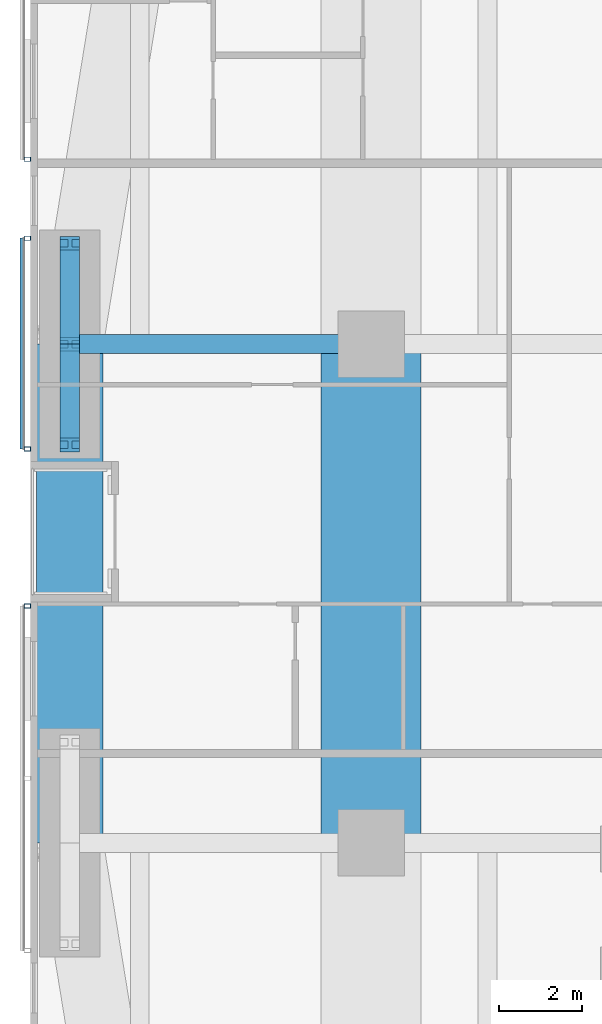
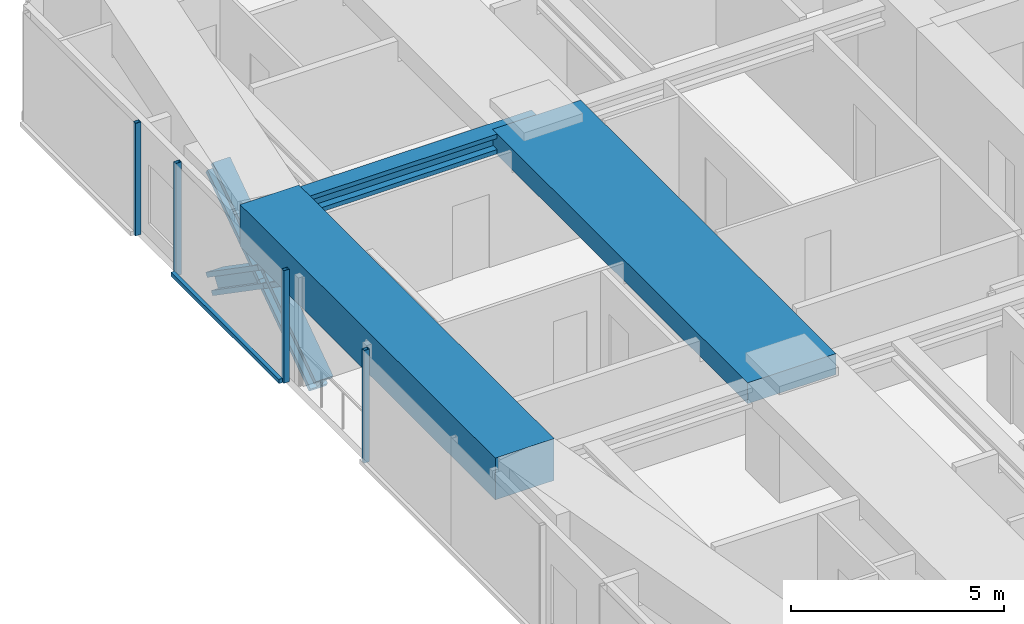
# One storey, part 7 of 24: 9 members, 3 beams, 3 elements without a shape of their own.
"""IFC4 building model written with IfcOpenShell, lengths in metres."""

from ifc_helpers import new_model, si_unit, direction, frame, origin, origin_2d, place, context, subcontext, project, spatial, rectangle, hollow_rectangle, i_section, extrude, material, material_profile, profile_set, type_object, element, aggregate, save


model = new_model("IFC4")

# Units and contexts
model_context = context("Model", 3, precision=1e-05, world=origin(), true_north=direction((0.0, 1.0)))
body_context = subcontext(model_context, "Body", "Model", "MODEL_VIEW")
ifc_project = project(units=[si_unit("LENGTHUNIT", "METRE"), si_unit("AREAUNIT", "SQUARE_METRE"), si_unit("VOLUMEUNIT", "CUBIC_METRE"), si_unit("PLANEANGLEUNIT", "RADIAN"), si_unit("MASSUNIT", "GRAM", prefix="KILO")], contexts=[model_context])

# Site, building, storey
site_placement = place(None, origin())
site = spatial("IfcSite", under=ifc_project, at=site_placement, CompositionType="ELEMENT")
building_placement = place(site_placement, origin())
building = spatial("IfcBuilding", under=site, at=building_placement, Name="Jalousie Tower", CompositionType="ELEMENT")
storey_placement = place(building_placement, frame((0.0, 0.0, 47.800048828125)))
storey = spatial("IfcBuildingStorey", under=building, at=storey_placement, Name="L12", CompositionType="ELEMENT", Elevation=47.800048828125)

# Beam
ifc_material_1 = material(Name="Steel ASTM A992 Grade 50", Category="steel")
ifc_material_profile_1 = material_profile(ifc_material_1, i_section(OverallWidth=0.45458984375, OverallDepth=0.569091796875, WebThickness=0.077880859375, FlangeThickness=0.124755859375, at=origin_2d()), Name="W14X730")
ifc_profile_set_1 = profile_set([ifc_material_profile_1], Name="Steel ASTM A992 Grade 50")
beam_type_1 = type_object("IfcBeamType", Name="LEAN COLLECTOR W14X730", PredefinedType="BEAM", material=ifc_profile_set_1)
beam_1_placement = place(storey_placement, frame((2.949951171875, 25.0, 2.825439453125), z_axis=(1.0, 0.0, 0.0), x_axis=(0.0, 1.0, 0.0)))
element("IfcBeam", 1, at=beam_1_placement, inside=storey, type_object=beam_type_1, Name="Lean collector under L13", PredefinedType="BEAM", context=body_context, shape_type="SweptSolid", body=[
    extrude(i_section(OverallWidth=0.45458984375, OverallDepth=0.569091796875, WebThickness=0.077880859375, FlangeThickness=0.124755859375, at=origin_2d()), origin(), (0.0, 0.0, 1.0), 7.25),
])

# Members
ifc_material_2 = material(Name="Steel ASTM A992 Grade 50", Category="steel")
ifc_material_profile_2 = material_profile(ifc_material_2, i_section(OverallWidth=0.472412109375, OverallDepth=0.5791015625, WebThickness=0.094970703125, FlangeThickness=0.1298828125, at=origin_2d()), Name="W14X808")
ifc_profile_set_2 = profile_set([ifc_material_profile_2], Name="Steel ASTM A992 Grade 50")
member_type_1 = type_object("IfcMemberType", Name="PERIMETER BRACE W14X808", PredefinedType="BRACE", material=ifc_profile_set_2)
for number, where, z_axis, x_axis, name in (
    (2, (2.949951171875, 22.574951171875, -0.60009765625), (0.0, 0.822800062329, 0.568330940062), (-1.0, 0.0, 0.0), "Perimeter brace 13 L12 part 1"),
    (3, (2.949951171875, 25.0, 1.074951171875), (0.0, 0.822800062329, 0.568330940062), (-1.0, 0.0, 0.0), "Perimeter brace 13 L12 part 2"),
    (4, (2.949951171875, 27.425048828125, -0.60009765625), (0.0, -0.822800062329, 0.568330940062), (1.0, 0.0, 0.0), "Perimeter brace 13 L12 part 3"),
    (5, (2.949951171875, 25.0, 1.074951171875), (0.0, -0.822800062329, 0.568330940062), (1.0, 0.0, 0.0), "Perimeter brace 13 L12 part 4"),
):
    element("IfcMember", number, at=place(storey_placement, frame(where, z_axis=z_axis, x_axis=x_axis)), inside=storey, type_object=member_type_1, Name=name, PredefinedType="BRACE", context=body_context, shape_type="SweptSolid", body=[
        extrude(i_section(OverallWidth=0.472412109375, OverallDepth=0.5791015625, WebThickness=0.094970703125, FlangeThickness=0.1298828125, at=origin_2d()), origin(), (0.0, 0.0, 1.0), 2.947265625),
    ])

# Beams
ifc_material_3 = material(Name="Concrete f'c 40 MPa", Category="concrete")
ifc_material_profile_3 = material_profile(ifc_material_3, rectangle(XDim=1.60009765625, YDim=1.199951171875, at=origin_2d()), Name="RC 1600x1200")
ifc_profile_set_3 = profile_set([ifc_material_profile_3], Name="Concrete f'c 40 MPa")
beam_type_2 = type_object("IfcBeamType", Name="RC BEAM 1600x1200", PredefinedType="BEAM", material=ifc_profile_set_3)
beam_2_placement = place(storey_placement, frame((2.949951171875, 25.0, 2.75), z_axis=(0.0, -1.0, 0.0), x_axis=(1.0, 0.0, 0.0)))
element("IfcBeam", 6, at=beam_2_placement, inside=storey, type_object=beam_type_2, Name="Edge band beam 13-14 under L13", PredefinedType="BEAM", context=body_context, shape_type="SweptSolid", body=[
    extrude(rectangle(XDim=1.60009765625, YDim=1.199951171875, at=origin_2d()), origin(), (0.0, 0.0, 1.0), 12.0),
])
ifc_material_4 = material(Name="Concrete f'c 40 MPa", Category="concrete")
ifc_material_profile_4 = material_profile(ifc_material_4, rectangle(XDim=2.39990234375, YDim=0.60009765625, at=origin_2d()), Name="RC 2400x600")
ifc_profile_set_4 = profile_set([ifc_material_profile_4], Name="Concrete f'c 40 MPa")
beam_type_3 = type_object("IfcBeamType", Name="RC BEAM 2400x600", PredefinedType="BEAM", material=ifc_profile_set_4)
beam_3_placement = place(storey_placement, frame((10.199951171875, 13.0, 2.81005859375), z_axis=(0.0, 1.0, 0.0), x_axis=(-1.0, 0.0, 0.0)))
element("IfcBeam", 7, at=beam_3_placement, inside=storey, type_object=beam_type_3, Name="Floor band beam under L13", PredefinedType="BEAM", context=body_context, shape_type="SweptSolid", body=[
    extrude(rectangle(XDim=2.39990234375, YDim=0.60009765625, at=origin_2d()), origin(), (0.0, 0.0, 1.0), 12.0),
])

# Curtain wall, member
ifc_material_5 = material(Name="Perforated aluminium sheet", Category="aluminium")
curtain_wall_type = type_object("IfcCurtainWallType", Name="SOLAR SCREEN SS-1", PredefinedType="USERDEFINED", material=ifc_material_5)
curtain_wall_1_placement = place(storey_placement, origin())
curtain_wall_1 = element("IfcCurtainWall", 8, at=curtain_wall_1_placement, inside=storey, type_object=curtain_wall_type, Name="Solar screen L12", ObjectType="SOLAR SCREEN SS-1", PredefinedType="USERDEFINED")
ifc_material_6 = material(Name="Steel ASTM A500 Grade C", Category="steel")
ifc_material_profile_5 = material_profile(ifc_material_6, hollow_rectangle(XDim=0.1015625, YDim=0.15234375, WallThickness=0.00634765625, at=origin_2d()), Name="HSS6X4X1/4")
ifc_profile_set_5 = profile_set([ifc_material_profile_5], Name="Steel ASTM A500 Grade C")
member_type_2 = type_object("IfcMemberType", Name="SOLAR SCREEN SS-1 MULLION", PredefinedType="MULLION", material=ifc_profile_set_5)
member_1_placement = place(storey_placement, frame((1.9287109375, 29.449951171875, -0.1201171875), z_axis=(0.0, 0.0, 1.0), x_axis=(0.0, -1.0, 0.0)))
member_1 = element("IfcMember", 9, at=member_1_placement, type_object=member_type_2, Name="SS1 post 2", PredefinedType="MULLION", context=body_context, shape_type="SweptSolid", body=[
    extrude(hollow_rectangle(XDim=0.1015625, YDim=0.15234375, WallThickness=0.00634765625, at=origin_2d()), origin(), (0.0, 0.0, 1.0), 3.22998046875),
])
aggregate(curtain_wall_1, [member_1])

# Curtain wall, members
curtain_wall_2_placement = place(storey_placement, origin())
curtain_wall_2 = element("IfcCurtainWall", 10, at=curtain_wall_2_placement, inside=storey, type_object=curtain_wall_type, Name="Solar screen L12", ObjectType="SOLAR SCREEN SS-1", PredefinedType="USERDEFINED")
member_2_placement = place(storey_placement, frame((1.9287109375, 27.550048828125, -0.1201171875), z_axis=(0.0, 0.0, 1.0), x_axis=(0.0, -1.0, 0.0)))
member_2 = element("IfcMember", 11, at=member_2_placement, type_object=member_type_2, Name="SS1 post 1", PredefinedType="MULLION", context=body_context, shape_type="SweptSolid", body=[
    extrude(hollow_rectangle(XDim=0.1015625, YDim=0.15234375, WallThickness=0.00634765625, at=origin_2d()), origin(), (0.0, 0.0, 1.0), 3.22998046875),
])
member_3_placement = place(storey_placement, frame((1.9287109375, 22.47509765625, -0.1201171875), z_axis=(0.0, 0.0, 1.0), x_axis=(0.0, -1.0, 0.0)))
member_3 = element("IfcMember", 12, at=member_3_placement, type_object=member_type_2, Name="SS1 post 2", PredefinedType="MULLION", context=body_context, shape_type="SweptSolid", body=[
    extrude(hollow_rectangle(XDim=0.1015625, YDim=0.15234375, WallThickness=0.00634765625, at=origin_2d()), origin(), (0.0, 0.0, 1.0), 3.22998046875),
])

# Curtain wall, member
curtain_wall_3_placement = place(storey_placement, origin())
curtain_wall_3 = element("IfcCurtainWall", 13, at=curtain_wall_3_placement, inside=storey, type_object=curtain_wall_type, Name="Solar screen L12", ObjectType="SOLAR SCREEN SS-1", PredefinedType="USERDEFINED")
member_4_placement = place(storey_placement, frame((1.9287109375, 18.699951171875, -0.1201171875), z_axis=(0.0, 0.0, 1.0), x_axis=(0.0, -1.0, 0.0)))
member_4 = element("IfcMember", 14, at=member_4_placement, type_object=member_type_2, Name="SS1 post 1", PredefinedType="MULLION", context=body_context, shape_type="SweptSolid", body=[
    extrude(hollow_rectangle(XDim=0.1015625, YDim=0.15234375, WallThickness=0.00634765625, at=origin_2d()), origin(), (0.0, 0.0, 1.0), 3.22998046875),
])
aggregate(curtain_wall_3, [member_4])

# Member
ifc_material_7 = material(Name="Extruded aluminium screen rail", Category="aluminium")
ifc_material_profile_6 = material_profile(ifc_material_7, rectangle(XDim=0.1015625, YDim=0.1201171875, at=origin_2d()), Name="RAIL 102x120")
ifc_profile_set_6 = profile_set([ifc_material_profile_6], Name="Extruded aluminium screen rail")
member_type_3 = type_object("IfcMemberType", Name="SOLAR SCREEN SS-1 TRANSOM", PredefinedType="USERDEFINED", material=ifc_profile_set_6)
member_5_placement = place(storey_placement, frame((1.8017578125, 27.550048828125, -0.06005859375), z_axis=(0.0, -1.0, 0.0), x_axis=(1.0, 0.0, 0.0)))
member_5 = element("IfcMember", 15, at=member_5_placement, type_object=member_type_3, Name="SS1 rail", ObjectType="TRANSOM", PredefinedType="USERDEFINED", context=body_context, shape_type="SweptSolid", body=[
    extrude(rectangle(XDim=0.1015625, YDim=0.1201171875, at=origin_2d()), origin(), (0.0, 0.0, 1.0), 5.074951171875),
])

aggregate(curtain_wall_2, [member_2, member_3, member_5])

save(model, "model.ifc")
